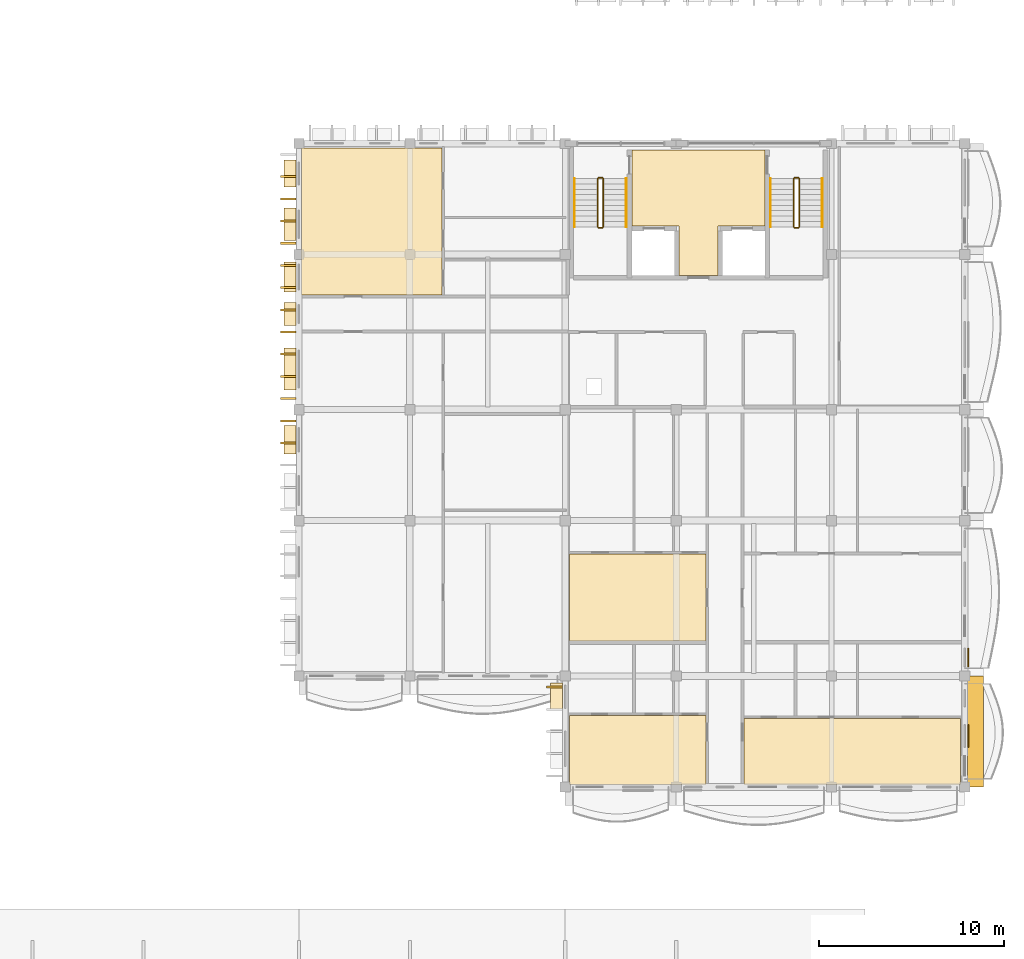
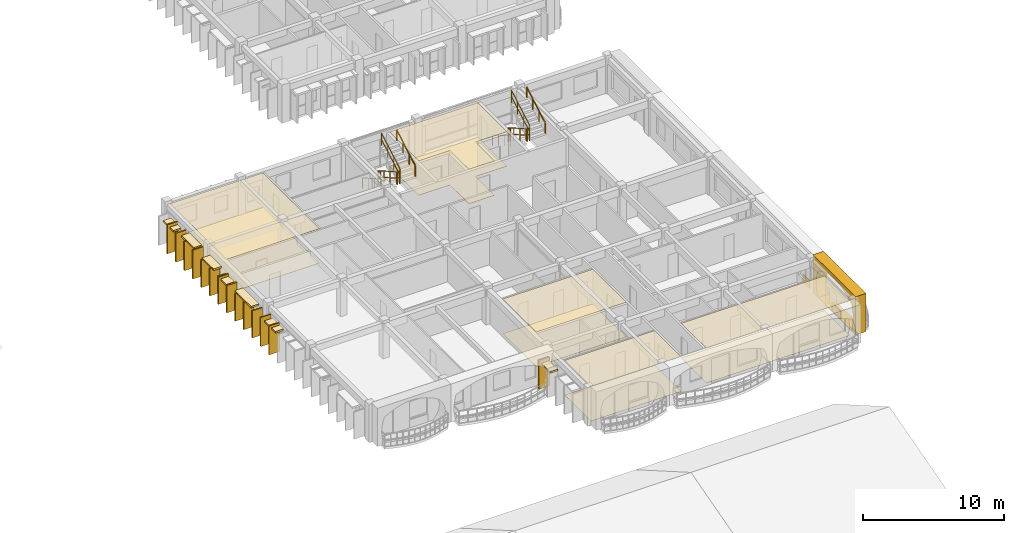
# One storey, part 92 of 101: 34 coverings, 12 railings.
"""IFC4 building model written with IfcOpenShell, lengths in metres."""

from ifc_helpers import new_model, si_unit, direction, frame, origin, origin_2d, place, context, subcontext, project, spatial, polyline, rectangle, outline, extrude, material, layer, layer_set, type_object, element, save


model = new_model("IFC4")

# Units and contexts
model_context = context("Model", 3, precision=1e-05, world=origin(), true_north=direction((0.0, 1.0)))
body_context = subcontext(model_context, "Body", "Model", "MODEL_VIEW")
ifc_project = project(units=[si_unit("LENGTHUNIT", "METRE"), si_unit("AREAUNIT", "SQUARE_METRE"), si_unit("VOLUMEUNIT", "CUBIC_METRE"), si_unit("PLANEANGLEUNIT", "RADIAN"), si_unit("MASSUNIT", "GRAM", prefix="KILO"), si_unit("THERMODYNAMICTEMPERATUREUNIT", "KELVIN")], contexts=[model_context])

# Site, building, storey
site_placement = place(None, origin())
site = spatial("IfcSite", under=ifc_project, at=site_placement, CompositionType="ELEMENT")
building_placement = place(site_placement, origin())
building = spatial("IfcBuilding", under=site, at=building_placement, Name="Thalorik Housing Commons", CompositionType="ELEMENT")
storey_placement = place(building_placement, frame((0.0, 0.0, 8.10009765625)))
storey = spatial("IfcBuildingStorey", under=building, at=storey_placement, Name="L02", CompositionType="ELEMENT", Elevation=8.10009765625)

# Coverings
ifc_material_1 = material(Name="Precast concrete C40/50", Category="concrete")
ifc_layer_1 = layer(ifc_material_1, 0.85009765625, Name="Precast concrete C40/50", Category="concrete")
ifc_layer_set_1 = layer_set([ifc_layer_1], Name="Precast concrete C40/50")
covering_type_1 = type_object("IfcCoveringType", Name="ARC-CLD-CUSH-850", PredefinedType="CLADDING", material=ifc_layer_set_1)
covering_1_placement = place(storey_placement, frame((174.577392578125, 40.199951171875, 0.0), z_axis=(0.0, 0.0, 1.0), x_axis=(0.0, 1.0, 0.0)))
element("IfcCovering", 1, at=covering_1_placement, inside=storey, type_object=covering_type_1, Name="L02 White Precast Curved Cushion Bay Frame 4672", PredefinedType="CLADDING", context=body_context, shape_type="SweptSolid", body=[
    extrude(outline(polyline([(-3.0, 0.0), (3.0, 0.0), (3.0, 3.300048828125), (-3.0, 3.300048828125), (-3.0, 0.0)]), holes=[polyline([(2.29736328125, 0.02490234375), (2.44580078125, 0.407470703125), (2.53466796875, 0.7900390625), (2.564453125, 1.172607421875), (2.53466796875, 1.554931640625), (2.44580078125, 1.9375), (2.29736328125, 2.320068359375), (1.903564453125, 2.539306640625), (1.509521484375, 2.711181640625), (1.115478515625, 2.8505859375), (0.7216796875, 2.954345703125), (0.32763671875, 3.018310546875), (-0.06640625, 3.0400390625), (-0.460205078125, 3.018310546875), (-0.854248046875, 2.954345703125), (-1.248046875, 2.8505859375), (-1.64208984375, 2.711181640625), (-2.035888671875, 2.539306640625), (-2.429931640625, 2.320068359375), (-2.55029296875, 1.9375), (-2.62255859375, 1.554931640625), (-2.646484375, 1.172607421875), (-2.62255859375, 0.7900390625), (-2.55029296875, 0.407470703125), (-2.429931640625, 0.02490234375), (2.29736328125, 0.02490234375)])]), frame((0.0, 0.425048828125, 0.0), z_axis=(0.0, -1.0, 0.0), x_axis=(1.0, 0.0, 0.0)), (0.0, 0.0, 1.0), 0.85009765625),
])
ifc_layer_2 = layer(ifc_material_1, 0.85009765625, Name="Precast concrete C40/50", Category="concrete")
ifc_layer_set_2 = layer_set([ifc_layer_2], Name="Precast concrete C40/50")
covering_type_2 = type_object("IfcCoveringType", Name="ARC-CLD-FIN-850", PredefinedType="CLADDING", material=ifc_layer_set_2)
for number, where, z_axis, x_axis, name in (
    (2, (137.422607421875, 70.199951171875, 0.039794921875), (0.0, 0.0, 1.0), (0.0, -1.0, 0.0), "L02 Courtyard Precast Vertical Brise-Soleil Fin 4623"),
    (3, (137.422607421875, 69.0, 0.039794921875), (0.0, 0.0, 1.0), (0.0, -1.0, 0.0), "L02 Courtyard Precast Vertical Brise-Soleil Fin 4624"),
    (4, (137.422607421875, 67.800048828125, 0.039794921875), (0.0, 0.0, 1.0), (0.0, -1.0, 0.0), "L02 Courtyard Precast Vertical Brise-Soleil Fin 4625"),
    (5, (137.422607421875, 66.60009765625, 0.039794921875), (0.0, 0.0, 1.0), (0.0, -1.0, 0.0), "L02 Courtyard Precast Vertical Brise-Soleil Fin 4626"),
):
    element("IfcCovering", number, at=place(storey_placement, frame(where, z_axis=z_axis, x_axis=x_axis)), inside=storey, type_object=covering_type_2, Name=name, PredefinedType="CLADDING", context=body_context, shape_type="SweptSolid", body=[
        extrude(rectangle(XDim=0.110107421875, YDim=0.85009765625, at=origin_2d()), origin(), (0.0, 0.0, 1.0), 2.4951171875),
    ])
for number, where, z_axis, x_axis, name in (
    (6, (137.422607421875, 65.39990234375, 0.0400390625), (0.0, 0.0, 1.0), (0.0, -1.0, 0.0), "L02 Courtyard Precast Vertical Brise-Soleil Fin 4629"),
    (7, (137.422607421875, 64.199951171875, 0.0400390625), (0.0, 0.0, 1.0), (0.0, -1.0, 0.0), "L02 Courtyard Precast Vertical Brise-Soleil Fin 4630"),
    (8, (137.422607421875, 63.0, 0.0400390625), (0.0, 0.0, 1.0), (0.0, -1.0, 0.0), "L02 Courtyard Precast Vertical Brise-Soleil Fin 4631"),
    (9, (137.422607421875, 61.800048828125, 0.0400390625), (0.0, 0.0, 1.0), (0.0, -1.0, 0.0), "L02 Courtyard Precast Vertical Brise-Soleil Fin 4632"),
    (10, (137.422607421875, 60.60009765625, 0.0400390625), (0.0, 0.0, 1.0), (0.0, -1.0, 0.0), "L02 Courtyard Precast Vertical Brise-Soleil Fin 4633"),
    (11, (137.422607421875, 59.39990234375, 0.0400390625), (0.0, 0.0, 1.0), (0.0, -1.0, 0.0), "L02 Courtyard Precast Vertical Brise-Soleil Fin 4634"),
    (12, (137.422607421875, 58.199951171875, 0.0400390625), (0.0, 0.0, 1.0), (0.0, -1.0, 0.0), "L02 Courtyard Precast Vertical Brise-Soleil Fin 4635"),
):
    element("IfcCovering", number, at=place(storey_placement, frame(where, z_axis=z_axis, x_axis=x_axis)), inside=storey, type_object=covering_type_2, Name=name, PredefinedType="CLADDING", context=body_context, shape_type="SweptSolid", body=[
        extrude(rectangle(XDim=0.110107421875, YDim=0.85009765625, at=origin_2d()), origin(), (0.0, 0.0, 1.0), 2.344970703125),
    ])
for number, where, z_axis, x_axis, name in (
    (13, (137.422607421875, 57.0, 0.039794921875), (0.0, 0.0, 1.0), (0.0, -1.0, 0.0), "L02 Courtyard Precast Vertical Brise-Soleil Fin 4639"),
    (14, (137.422607421875, 55.800048828125, 0.039794921875), (0.0, 0.0, 1.0), (0.0, -1.0, 0.0), "L02 Courtyard Precast Vertical Brise-Soleil Fin 4640"),
    (15, (151.822509765625, 42.60009765625, 0.039794921875), (0.0, 0.0, 1.0), (0.0, -1.0, 0.0), "L02 Courtyard Precast Vertical Brise-Soleil Fin 4659"),
):
    element("IfcCovering", number, at=place(storey_placement, frame(where, z_axis=z_axis, x_axis=x_axis)), inside=storey, type_object=covering_type_2, Name=name, PredefinedType="CLADDING", context=body_context, shape_type="SweptSolid", body=[
        extrude(rectangle(XDim=0.110107421875, YDim=0.85009765625, at=origin_2d()), origin(), (0.0, 0.0, 1.0), 2.4951171875),
    ])
ifc_layer_3 = layer(ifc_material_1, 0.64990234375, Name="Precast concrete C40/50", Category="concrete")
ifc_layer_set_3 = layer_set([ifc_layer_3], Name="Precast concrete C40/50")
covering_type_3 = type_object("IfcCoveringType", Name="ARC-CLD-HOOD-650", PredefinedType="CLADDING", material=ifc_layer_set_3)
covering_2_placement = place(storey_placement, frame((137.5224609375, 70.3701171875, 2.14013671875), z_axis=(0.0, 0.0, 1.0), x_axis=(0.0, -1.0, 0.0)))
element("IfcCovering", 16, at=covering_2_placement, inside=storey, type_object=covering_type_3, Name="L02 Courtyard Precast Window Sun-Hood 4627", PredefinedType="CLADDING", context=body_context, shape_type="SweptSolid", body=[
    extrude(rectangle(XDim=1.43994140625, YDim=0.64990234375, at=origin_2d()), origin(), (0.0, 0.0, 1.0), 0.139892578125),
])
covering_3_placement = place(storey_placement, frame((137.5224609375, 67.6298828125, 2.4248046875), z_axis=(0.0, 0.0, 1.0), x_axis=(0.0, -1.0, 0.0)))
element("IfcCovering", 17, at=covering_3_placement, inside=storey, type_object=covering_type_3, Name="L02 Courtyard Precast Window Sun-Hood 4628", PredefinedType="CLADDING", context=body_context, shape_type="SweptSolid", body=[
    extrude(rectangle(XDim=1.739990234375, YDim=0.64990234375, at=origin_2d()), origin(), (0.0, 0.0, 1.0), 0.139892578125),
])
covering_4_placement = place(storey_placement, frame((137.5224609375, 64.764892578125, 2.27001953125), z_axis=(0.0, 0.0, 1.0), x_axis=(0.0, -1.0, 0.0)))
element("IfcCovering", 18, at=covering_4_placement, inside=storey, type_object=covering_type_3, Name="L02 Courtyard Precast Window Sun-Hood 4636", PredefinedType="CLADDING", context=body_context, shape_type="SweptSolid", body=[
    extrude(rectangle(XDim=1.6201171875, YDim=0.64990234375, at=origin_2d()), origin(), (0.0, 0.0, 1.0), 0.139892578125),
])
covering_5_placement = place(storey_placement, frame((137.5224609375, 62.77001953125, 2.0400390625), z_axis=(0.0, 0.0, 1.0), x_axis=(0.0, -1.0, 0.0)))
element("IfcCovering", 19, at=covering_5_placement, inside=storey, type_object=covering_type_3, Name="L02 Courtyard Precast Window Sun-Hood 4637", PredefinedType="CLADDING", context=body_context, shape_type="SweptSolid", body=[
    extrude(rectangle(XDim=1.239990234375, YDim=0.64990234375, at=origin_2d()), origin(), (0.0, 0.0, 1.0), 0.139892578125),
])
covering_6_placement = place(storey_placement, frame((137.5224609375, 59.804931640625, 2.25), z_axis=(0.0, 0.0, 1.0), x_axis=(0.0, -1.0, 0.0)))
element("IfcCovering", 20, at=covering_6_placement, inside=storey, type_object=covering_type_3, Name="L02 Courtyard Precast Window Sun-Hood 4638", PredefinedType="CLADDING", context=body_context, shape_type="SweptSolid", body=[
    extrude(rectangle(XDim=2.280029296875, YDim=0.64990234375, at=origin_2d()), origin(), (0.0, 0.0, 1.0), 0.139892578125),
])
covering_7_placement = place(storey_placement, frame((137.5224609375, 55.969970703125, 2.18994140625), z_axis=(0.0, 0.0, 1.0), x_axis=(0.0, -1.0, 0.0)))
element("IfcCovering", 21, at=covering_7_placement, inside=storey, type_object=covering_type_3, Name="L02 Courtyard Precast Window Sun-Hood 4644", PredefinedType="CLADDING", context=body_context, shape_type="SweptSolid", body=[
    extrude(rectangle(XDim=1.5400390625, YDim=0.64990234375, at=origin_2d()), origin(), (0.0, 0.0, 1.0), 0.139892578125),
])
covering_8_placement = place(storey_placement, frame((151.922607421875, 42.074951171875, 2.08984375), z_axis=(0.0, 0.0, 1.0), x_axis=(0.0, -1.0, 0.0)))
element("IfcCovering", 22, at=covering_8_placement, inside=storey, type_object=covering_type_3, Name="L02 Courtyard Precast Window Sun-Hood 4664", PredefinedType="CLADDING", context=body_context, shape_type="SweptSolid", body=[
    extrude(rectangle(XDim=1.489990234375, YDim=0.64990234375, at=origin_2d()), origin(), (0.0, 0.0, 1.0), 0.139892578125),
])
ifc_material_2 = material(Name="Terracotta red mineral fibre-cement panel", Category="masonry")
ifc_layer_4 = layer(ifc_material_2, 0.054931640625, Name="Terracotta red mineral fibre-cement panel", Category="masonry")
ifc_layer_set_4 = layer_set([ifc_layer_4], Name="Terracotta red mineral fibre-cement panel")
covering_type_4 = type_object("IfcCoveringType", Name="ARC-CLD-RED-55", PredefinedType="CLADDING", material=ifc_layer_set_4)
covering_9_placement = place(storey_placement, frame((174.18505859375, 44.205078125, 0.0498046875), z_axis=(0.0, 0.0, 1.0), x_axis=(0.0, 1.0, 0.0)))
element("IfcCovering", 23, at=covering_9_placement, inside=storey, type_object=covering_type_4, Name="L02 De Stijl Recessed Window Spandrel 4675", PredefinedType="CLADDING", context=body_context, shape_type="SweptSolid", body=[
    extrude(rectangle(XDim=1.0, YDim=0.054931640625, at=origin_2d()), origin(), (0.0, 0.0, 1.0), 0.699951171875),
])
ifc_material_3 = material(Name="Mineral ochre architectural terracotta panel", Category="masonry")
ifc_layer_5 = layer(ifc_material_3, 0.06494140625, Name="Mineral ochre architectural terracotta panel", Category="masonry")
ifc_layer_set_5 = layer_set([ifc_layer_5], Name="Mineral ochre architectural terracotta panel")
covering_type_5 = type_object("IfcCoveringType", Name="ARC-CLD-YEL-65", PredefinedType="CLADDING", material=ifc_layer_set_5)
covering_10_placement = place(storey_placement, frame((174.18994140625, 39.952392578125, 0.0498046875), z_axis=(0.0, 0.0, 1.0), x_axis=(0.0, 1.0, 0.0)))
element("IfcCovering", 24, at=covering_10_placement, inside=storey, type_object=covering_type_5, Name="L02 De Stijl Recessed Window Spandrel 4673", PredefinedType="CLADDING", context=body_context, shape_type="SweptSolid", body=[
    extrude(rectangle(XDim=1.199951171875, YDim=0.06494140625, at=origin_2d()), origin(), (0.0, 0.0, 1.0), 0.699951171875),
])
ifc_material_4 = material(Name="Perforated acoustic gypsum ceiling board")
ifc_layer_6 = layer(ifc_material_4, 0.014892578125, Name="Perforated acoustic gypsum ceiling board")
ifc_layer_set_6 = layer_set([ifc_layer_6], Name="Perforated acoustic gypsum ceiling board")
covering_type_6 = type_object("IfcCoveringType", Name="ARC-COV-CEIL-01", PredefinedType="CEILING", material=ifc_layer_set_6)
covering_11_placement = place(storey_placement, frame((0.0, 0.0, 2.98486328125)))
element("IfcCovering", 25, at=covering_11_placement, inside=storey, type_object=covering_type_6, Name="L02 Living Dining Room Suspended Ceiling", PredefinedType="CEILING", context=body_context, shape_type="SweptSolid", body=[
    extrude(outline(polyline([(160.0, 41.070068359375), (152.639892578125, 41.070068359375), (152.639892578125, 37.340087890625), (160.0, 37.340087890625), (160.0, 41.070068359375)])), origin(), (0.0, 0.0, 1.0), 0.01513671875),
])
ifc_material_5 = material(Name="Mineral fibre acoustic ceiling tile")
ifc_layer_7 = layer(ifc_material_5, 0.01806640625, Name="Mineral fibre acoustic ceiling tile")
ifc_layer_set_7 = layer_set([ifc_layer_7], Name="Mineral fibre acoustic ceiling tile")
covering_type_7 = type_object("IfcCoveringType", Name="ARC-COV-CEIL-02", PredefinedType="CEILING", material=ifc_layer_set_7)
covering_12_placement = place(storey_placement, frame((0.0, 0.0, 2.98193359375)))
element("IfcCovering", 26, at=covering_12_placement, inside=storey, type_object=covering_type_7, Name="L02 Living Dining Room Suspended Ceiling", PredefinedType="CEILING", context=body_context, shape_type="SweptSolid", body=[
    extrude(outline(polyline([(173.760009765625, 40.914794921875), (162.06005859375, 40.914794921875), (162.06005859375, 37.340087890625), (173.760009765625, 37.340087890625), (173.760009765625, 40.914794921875)])), origin(), (0.0, 0.0, 1.0), 0.01806640625),
])
ifc_material_6 = material(Name="Slatted timber acoustic hall baffle ceiling", Category="wood")
ifc_layer_8 = layer(ifc_material_6, 0.02197265625, Name="Slatted timber acoustic hall baffle ceiling", Category="wood")
ifc_layer_set_8 = layer_set([ifc_layer_8], Name="Slatted timber acoustic hall baffle ceiling")
covering_type_8 = type_object("IfcCoveringType", Name="ARC-COV-CEIL-03", PredefinedType="CEILING", material=ifc_layer_set_8)
covering_13_placement = place(storey_placement, frame((0.0, 0.0, 2.977783203125)))
element("IfcCovering", 27, at=covering_13_placement, inside=storey, type_object=covering_type_8, Name="L02 Family Lounge Suspended Ceiling", PredefinedType="CEILING", context=body_context, shape_type="SweptSolid", body=[
    extrude(outline(polyline([(160.0, 49.81005859375), (152.639892578125, 49.81005859375), (152.639892578125, 45.10009765625), (160.0, 45.10009765625), (160.0, 49.81005859375)])), origin(), (0.0, 0.0, 1.0), 0.022216796875),
])
ifc_material_7 = material(Name="Fire-rated calcium silicate corridor ceiling")
ifc_layer_9 = layer(ifc_material_7, 0.030029296875, Name="Fire-rated calcium silicate corridor ceiling")
ifc_layer_set_9 = layer_set([ifc_layer_9], Name="Fire-rated calcium silicate corridor ceiling")
covering_type_9 = type_object("IfcCoveringType", Name="ARC-COV-CEIL-05", PredefinedType="CEILING", material=ifc_layer_set_9)
covering_14_placement = place(storey_placement, frame((0.0, 0.0, 2.969970703125)))
element("IfcCovering", 28, at=covering_14_placement, inside=storey, type_object=covering_type_9, Name="L02 Block D Lift Lobby Suspended Ceiling", PredefinedType="CEILING", context=body_context, shape_type="SweptSolid", body=[
    extrude(outline(polyline([(158.550048828125, 64.85009765625), (160.64990234375, 64.85009765625), (160.650146484375, 67.52001953125), (163.199951171875, 67.52001953125), (163.199951171875, 71.64990234375), (156.0, 71.64990234375), (156.0, 67.52001953125), (158.550048828125, 67.52001953125), (158.550048828125, 64.85009765625)])), origin(), (0.0, 0.0, 1.0), 0.030029296875),
])
covering_15_placement = place(storey_placement, frame((0.0, 0.0, 2.969970703125)))
element("IfcCovering", 29, at=covering_15_placement, inside=storey, type_object=covering_type_9, Name="L02 Living Dining Room Suspended Ceiling", PredefinedType="CEILING", context=body_context, shape_type="SweptSolid", body=[
    extrude(outline(polyline([(145.740478515625, 63.800048828125), (145.740478515625, 71.760009765625), (138.139892578125, 71.760009765625), (138.139892578125, 63.800048828125), (145.740478515625, 63.800048828125)])), origin(), (0.0, 0.0, 1.0), 0.030029296875),
])
ifc_material_8 = material(Name="Glazed Recife ceramic apartment floor tile")
ifc_layer_10 = layer(ifc_material_8, 0.011962890625, Name="Glazed Recife ceramic apartment floor tile")
ifc_layer_set_10 = layer_set([ifc_layer_10], Name="Glazed Recife ceramic apartment floor tile")
covering_type_10 = type_object("IfcCoveringType", Name="ARC-COV-FLR-01", PredefinedType="FLOORING", material=ifc_layer_set_10)
covering_16_placement = place(storey_placement, origin())
element("IfcCovering", 30, at=covering_16_placement, inside=storey, type_object=covering_type_10, Name="L02 Living Dining Room Flooring", PredefinedType="FLOORING", context=body_context, shape_type="SweptSolid", body=[
    extrude(outline(polyline([(160.0, 41.070068359375), (152.639892578125, 41.070068359375), (152.639892578125, 37.340087890625), (160.0, 37.340087890625), (160.0, 41.070068359375)])), origin(), (0.0, 0.0, 1.0), 0.011962890625),
])
ifc_material_9 = material(Name="Slip-resistant quarry terracotta corridor tile", Category="masonry")
ifc_layer_11 = layer(ifc_material_9, 0.01611328125, Name="Slip-resistant quarry terracotta corridor tile", Category="masonry")
ifc_layer_set_11 = layer_set([ifc_layer_11], Name="Slip-resistant quarry terracotta corridor tile")
covering_type_11 = type_object("IfcCoveringType", Name="ARC-COV-FLR-02", PredefinedType="FLOORING", material=ifc_layer_set_11)
covering_17_placement = place(storey_placement, origin())
element("IfcCovering", 31, at=covering_17_placement, inside=storey, type_object=covering_type_11, Name="L02 Living Dining Room Flooring", PredefinedType="FLOORING", context=body_context, shape_type="SweptSolid", body=[
    extrude(outline(polyline([(173.760009765625, 40.914794921875), (162.06005859375, 40.914794921875), (162.06005859375, 37.340087890625), (173.760009765625, 37.340087890625), (173.760009765625, 40.914794921875)])), origin(), (0.0, 0.0, 1.0), 0.015869140625),
])
ifc_material_10 = material(Name="Cushioned natural linoleum nursery playroom flooring")
ifc_layer_12 = layer(ifc_material_10, 0.02001953125, Name="Cushioned natural linoleum nursery playroom flooring")
ifc_layer_set_12 = layer_set([ifc_layer_12], Name="Cushioned natural linoleum nursery playroom flooring")
covering_type_12 = type_object("IfcCoveringType", Name="ARC-COV-FLR-03", PredefinedType="FLOORING", material=ifc_layer_set_12)
covering_18_placement = place(storey_placement, origin())
element("IfcCovering", 32, at=covering_18_placement, inside=storey, type_object=covering_type_12, Name="L02 Family Lounge Flooring", PredefinedType="FLOORING", context=body_context, shape_type="SweptSolid", body=[
    extrude(outline(polyline([(160.0, 49.81005859375), (152.639892578125, 49.81005859375), (152.639892578125, 45.10009765625), (160.0, 45.10009765625), (160.0, 49.81005859375)])), origin(), (0.0, 0.0, 1.0), 0.02001953125),
])
ifc_material_11 = material(Name="Heavy-duty porcelain metro vestibule tile")
ifc_layer_13 = layer(ifc_material_11, 0.028076171875, Name="Heavy-duty porcelain metro vestibule tile")
ifc_layer_set_13 = layer_set([ifc_layer_13], Name="Heavy-duty porcelain metro vestibule tile")
covering_type_13 = type_object("IfcCoveringType", Name="ARC-COV-FLR-05", PredefinedType="FLOORING", material=ifc_layer_set_13)
covering_19_placement = place(storey_placement, origin())
element("IfcCovering", 33, at=covering_19_placement, inside=storey, type_object=covering_type_13, Name="L02 Block D Lift Lobby Flooring", PredefinedType="FLOORING", context=body_context, shape_type="SweptSolid", body=[
    extrude(outline(polyline([(158.550048828125, 64.85009765625), (160.64990234375, 64.85009765625), (160.650146484375, 67.52001953125), (163.199951171875, 67.52001953125), (163.199951171875, 71.64990234375), (156.0, 71.64990234375), (156.0, 67.52001953125), (158.550048828125, 67.52001953125), (158.550048828125, 64.85009765625)])), origin(), (0.0, 0.0, 1.0), 0.02783203125),
])
covering_20_placement = place(storey_placement, origin())
element("IfcCovering", 34, at=covering_20_placement, inside=storey, type_object=covering_type_13, Name="L02 Living Dining Room Flooring", PredefinedType="FLOORING", context=body_context, shape_type="SweptSolid", body=[
    extrude(outline(polyline([(145.740478515625, 63.800048828125), (145.740478515625, 71.760009765625), (138.139892578125, 71.760009765625), (138.139892578125, 63.800048828125), (145.740478515625, 63.800048828125)])), origin(), (0.0, 0.0, 1.0), 0.02783203125),
])

# Railings
ifc_material_12 = material(Name="Steel S355", Category="steel")
railing_type_1 = type_object("IfcRailingType", Name="ARC-RL-STR-GRD110", PredefinedType="GUARDRAIL", material=ifc_material_12)
railing_1_placement = place(storey_placement, frame((154.14990234375, 70.10009765625, 0.164794921875)))
element("IfcRailing", 35, at=railing_1_placement, inside=storey, type_object=railing_type_1, Name="L02 ST-D1 stair guard 1", PredefinedType="GUARDRAIL", context=body_context, shape_type="SweptSolid", body=[
    extrude(rectangle(XDim=0.048095703125, YDim=0.048095703125, at=origin_2d()), frame((0.0, 0.0, 1.076171875), z_axis=(0.0, -0.869157204687, 0.49453589712), x_axis=(1.0, 0.0, 0.0)), (0.0, 0.0, 1.0), 3.0029296875),
    extrude(rectangle(XDim=0.048095703125, YDim=0.048095703125, at=origin_2d()), frame((0.0, 0.0, 0.52587890625), z_axis=(0.0, -0.869157204687, 0.49453589712), x_axis=(1.0, 0.0, 0.0)), (0.0, 0.0, 1.0), 3.0029296875),
    extrude(rectangle(XDim=0.0419921875, YDim=0.0419921875, at=origin_2d()), origin(), (0.0, 0.0, 1.0), 1.052001953125),
    extrude(rectangle(XDim=0.0419921875, YDim=0.0419921875, at=origin_2d()), frame((0.0, -0.8701171875, 0.4951171875)), (0.0, 0.0, 1.0), 1.052001953125),
    extrude(rectangle(XDim=0.0419921875, YDim=0.0419921875, at=origin_2d()), frame((0.0, -1.739990234375, 0.989990234375)), (0.0, 0.0, 1.0), 1.052001953125),
    extrude(rectangle(XDim=0.0419921875, YDim=0.0419921875, at=origin_2d()), frame((0.0, -2.610107421875, 1.485107421875)), (0.0, 0.0, 1.0), 1.052001953125),
])
railing_2_placement = place(storey_placement, frame((154.199951171875, 67.43994140625, 1.64990234375)))
element("IfcRailing", 36, at=railing_2_placement, inside=storey, type_object=railing_type_1, Name="L02 ST-D1 stair guard 2", PredefinedType="GUARDRAIL", context=body_context, shape_type="SweptSolid", body=[
    extrude(rectangle(XDim=0.048095703125, YDim=0.048095703125, at=origin_2d()), frame((0.0, 0.0, 1.076171875), z_axis=(1.0, 0.0, 0.0), x_axis=(0.0, 1.0, 0.0)), (0.0, 0.0, 1.0), 0.199951171875),
    extrude(rectangle(XDim=0.048095703125, YDim=0.048095703125, at=origin_2d()), frame((0.0, 0.0, 0.52587890625), z_axis=(1.0, 0.0, 0.0), x_axis=(0.0, 1.0, 0.0)), (0.0, 0.0, 1.0), 0.199951171875),
    extrude(rectangle(XDim=0.0419921875, YDim=0.0419921875, at=origin_2d()), origin(), (0.0, 0.0, 1.0), 1.052001953125),
    extrude(rectangle(XDim=0.0419921875, YDim=0.0419921875, at=origin_2d()), frame((0.199951171875, 0.0, 0.0)), (0.0, 0.0, 1.0), 1.052001953125),
])
railing_3_placement = place(storey_placement, frame((154.449951171875, 67.489990234375, 1.81494140625)))
element("IfcRailing", 37, at=railing_3_placement, inside=storey, type_object=railing_type_1, Name="L02 ST-D1 stair guard 3", PredefinedType="GUARDRAIL", context=body_context, shape_type="SweptSolid", body=[
    extrude(rectangle(XDim=0.048095703125, YDim=0.048095703125, at=origin_2d()), frame((0.0, 0.0, 1.076171875), z_axis=(0.0, 0.869192148207, 0.494474478103), x_axis=(-1.0, 0.0, 0.0)), (0.0, 0.0, 1.0), 3.0029296875),
    extrude(rectangle(XDim=0.048095703125, YDim=0.048095703125, at=origin_2d()), frame((0.0, 0.0, 0.52587890625), z_axis=(0.0, 0.869192148207, 0.494474478103), x_axis=(-1.0, 0.0, 0.0)), (0.0, 0.0, 1.0), 3.0029296875),
    extrude(rectangle(XDim=0.0419921875, YDim=0.0419921875, at=origin_2d()), origin(), (0.0, 0.0, 1.0), 1.052001953125),
    extrude(rectangle(XDim=0.0419921875, YDim=0.0419921875, at=origin_2d()), frame((0.0, 0.8701171875, 0.494873046875)), (0.0, 0.0, 1.0), 1.052001953125),
    extrude(rectangle(XDim=0.0419921875, YDim=0.0419921875, at=origin_2d()), frame((0.0, 1.739990234375, 0.989990234375)), (0.0, 0.0, 1.0), 1.052001953125),
    extrude(rectangle(XDim=0.0419921875, YDim=0.0419921875, at=origin_2d()), frame((0.0, 2.610107421875, 1.48486328125)), (0.0, 0.0, 1.0), 1.052001953125),
])
railing_4_placement = place(storey_placement, frame((154.199951171875, 70.14990234375, 0.0)))
element("IfcRailing", 38, at=railing_4_placement, inside=storey, type_object=railing_type_1, Name="L02 ST-D1 stair guard 4", PredefinedType="GUARDRAIL", context=body_context, shape_type="SweptSolid", body=[
    extrude(rectangle(XDim=0.048095703125, YDim=0.048095703125, at=origin_2d()), frame((0.0, 0.0, 1.076171875), z_axis=(1.0, 0.0, 0.0), x_axis=(0.0, 1.0, 0.0)), (0.0, 0.0, 1.0), 0.199951171875),
    extrude(rectangle(XDim=0.048095703125, YDim=0.048095703125, at=origin_2d()), frame((0.0, 0.0, 0.52587890625), z_axis=(1.0, 0.0, 0.0), x_axis=(0.0, 1.0, 0.0)), (0.0, 0.0, 1.0), 0.199951171875),
    extrude(rectangle(XDim=0.0419921875, YDim=0.0419921875, at=origin_2d()), origin(), (0.0, 0.0, 1.0), 1.052001953125),
    extrude(rectangle(XDim=0.0419921875, YDim=0.0419921875, at=origin_2d()), frame((0.199951171875, 0.0, 0.0)), (0.0, 0.0, 1.0), 1.052001953125),
])
railing_5_placement = place(storey_placement, frame((164.75, 70.10009765625, 0.164794921875)))
element("IfcRailing", 39, at=railing_5_placement, inside=storey, type_object=railing_type_1, Name="L02 ST-D2 stair guard 1", PredefinedType="GUARDRAIL", context=body_context, shape_type="SweptSolid", body=[
    extrude(rectangle(XDim=0.048095703125, YDim=0.048095703125, at=origin_2d()), frame((0.0, 0.0, 1.076171875), z_axis=(0.0, -0.869157204687, 0.49453589712), x_axis=(1.0, 0.0, 0.0)), (0.0, 0.0, 1.0), 3.0029296875),
    extrude(rectangle(XDim=0.048095703125, YDim=0.048095703125, at=origin_2d()), frame((0.0, 0.0, 0.52587890625), z_axis=(0.0, -0.869157204687, 0.49453589712), x_axis=(1.0, 0.0, 0.0)), (0.0, 0.0, 1.0), 3.0029296875),
    extrude(rectangle(XDim=0.0419921875, YDim=0.0419921875, at=origin_2d()), origin(), (0.0, 0.0, 1.0), 1.052001953125),
    extrude(rectangle(XDim=0.0419921875, YDim=0.0419921875, at=origin_2d()), frame((0.0, -0.8701171875, 0.4951171875)), (0.0, 0.0, 1.0), 1.052001953125),
    extrude(rectangle(XDim=0.0419921875, YDim=0.0419921875, at=origin_2d()), frame((0.0, -1.739990234375, 0.989990234375)), (0.0, 0.0, 1.0), 1.052001953125),
    extrude(rectangle(XDim=0.0419921875, YDim=0.0419921875, at=origin_2d()), frame((0.0, -2.610107421875, 1.485107421875)), (0.0, 0.0, 1.0), 1.052001953125),
])
railing_6_placement = place(storey_placement, frame((164.800048828125, 67.43994140625, 1.64990234375)))
element("IfcRailing", 40, at=railing_6_placement, inside=storey, type_object=railing_type_1, Name="L02 ST-D2 stair guard 2", PredefinedType="GUARDRAIL", context=body_context, shape_type="SweptSolid", body=[
    extrude(rectangle(XDim=0.048095703125, YDim=0.048095703125, at=origin_2d()), frame((0.0, 0.0, 1.076171875), z_axis=(1.0, 0.0, 0.0), x_axis=(0.0, 1.0, 0.0)), (0.0, 0.0, 1.0), 0.199951171875),
    extrude(rectangle(XDim=0.048095703125, YDim=0.048095703125, at=origin_2d()), frame((0.0, 0.0, 0.52587890625), z_axis=(1.0, 0.0, 0.0), x_axis=(0.0, 1.0, 0.0)), (0.0, 0.0, 1.0), 0.199951171875),
    extrude(rectangle(XDim=0.0419921875, YDim=0.0419921875, at=origin_2d()), origin(), (0.0, 0.0, 1.0), 1.052001953125),
    extrude(rectangle(XDim=0.0419921875, YDim=0.0419921875, at=origin_2d()), frame((0.199951171875, 0.0, 0.0)), (0.0, 0.0, 1.0), 1.052001953125),
])
railing_7_placement = place(storey_placement, frame((165.050048828125, 67.489990234375, 1.81494140625)))
element("IfcRailing", 41, at=railing_7_placement, inside=storey, type_object=railing_type_1, Name="L02 ST-D2 stair guard 3", PredefinedType="GUARDRAIL", context=body_context, shape_type="SweptSolid", body=[
    extrude(rectangle(XDim=0.048095703125, YDim=0.048095703125, at=origin_2d()), frame((0.0, 0.0, 1.076171875), z_axis=(0.0, 0.869192148207, 0.494474478103), x_axis=(-1.0, 0.0, 0.0)), (0.0, 0.0, 1.0), 3.0029296875),
    extrude(rectangle(XDim=0.048095703125, YDim=0.048095703125, at=origin_2d()), frame((0.0, 0.0, 0.52587890625), z_axis=(0.0, 0.869192148207, 0.494474478103), x_axis=(-1.0, 0.0, 0.0)), (0.0, 0.0, 1.0), 3.0029296875),
    extrude(rectangle(XDim=0.0419921875, YDim=0.0419921875, at=origin_2d()), origin(), (0.0, 0.0, 1.0), 1.052001953125),
    extrude(rectangle(XDim=0.0419921875, YDim=0.0419921875, at=origin_2d()), frame((0.0, 0.8701171875, 0.494873046875)), (0.0, 0.0, 1.0), 1.052001953125),
    extrude(rectangle(XDim=0.0419921875, YDim=0.0419921875, at=origin_2d()), frame((0.0, 1.739990234375, 0.989990234375)), (0.0, 0.0, 1.0), 1.052001953125),
    extrude(rectangle(XDim=0.0419921875, YDim=0.0419921875, at=origin_2d()), frame((0.0, 2.610107421875, 1.48486328125)), (0.0, 0.0, 1.0), 1.052001953125),
])
railing_8_placement = place(storey_placement, frame((164.800048828125, 70.14990234375, 0.0)))
element("IfcRailing", 42, at=railing_8_placement, inside=storey, type_object=railing_type_1, Name="L02 ST-D2 stair guard 4", PredefinedType="GUARDRAIL", context=body_context, shape_type="SweptSolid", body=[
    extrude(rectangle(XDim=0.048095703125, YDim=0.048095703125, at=origin_2d()), frame((0.0, 0.0, 1.076171875), z_axis=(1.0, 0.0, 0.0), x_axis=(0.0, 1.0, 0.0)), (0.0, 0.0, 1.0), 0.199951171875),
    extrude(rectangle(XDim=0.048095703125, YDim=0.048095703125, at=origin_2d()), frame((0.0, 0.0, 0.52587890625), z_axis=(1.0, 0.0, 0.0), x_axis=(0.0, 1.0, 0.0)), (0.0, 0.0, 1.0), 0.199951171875),
    extrude(rectangle(XDim=0.0419921875, YDim=0.0419921875, at=origin_2d()), origin(), (0.0, 0.0, 1.0), 1.052001953125),
    extrude(rectangle(XDim=0.0419921875, YDim=0.0419921875, at=origin_2d()), frame((0.199951171875, 0.0, 0.0)), (0.0, 0.0, 1.0), 1.052001953125),
])
railing_type_2 = type_object("IfcRailingType", Name="ARC-RL-STR-HR092", PredefinedType="HANDRAIL", material=ifc_material_12)
railing_9_placement = place(storey_placement, frame((152.89990234375, 70.10009765625, 0.164794921875)))
element("IfcRailing", 43, at=railing_9_placement, inside=storey, type_object=railing_type_2, Name="L02 ST-D1 stair handrail 1", PredefinedType="HANDRAIL", context=body_context, shape_type="SweptSolid", body=[
    extrude(rectangle(XDim=0.048095703125, YDim=0.048095703125, at=origin_2d()), frame((0.0, 0.0, 0.89599609375), z_axis=(0.0, -0.869157204687, 0.49453589712), x_axis=(1.0, 0.0, 0.0)), (0.0, 0.0, 1.0), 3.0029296875),
    extrude(rectangle(XDim=0.0419921875, YDim=0.0419921875, at=origin_2d()), origin(), (0.0, 0.0, 1.0), 0.871826171875),
    extrude(rectangle(XDim=0.0419921875, YDim=0.0419921875, at=origin_2d()), frame((0.0, -0.8701171875, 0.4951171875)), (0.0, 0.0, 1.0), 0.871826171875),
    extrude(rectangle(XDim=0.0419921875, YDim=0.0419921875, at=origin_2d()), frame((0.0, -1.739990234375, 0.989990234375)), (0.0, 0.0, 1.0), 0.871826171875),
    extrude(rectangle(XDim=0.0419921875, YDim=0.0419921875, at=origin_2d()), frame((0.0, -2.610107421875, 1.485107421875)), (0.0, 0.0, 1.0), 0.871826171875),
])
railing_10_placement = place(storey_placement, frame((155.699951171875, 67.489990234375, 1.81494140625)))
element("IfcRailing", 44, at=railing_10_placement, inside=storey, type_object=railing_type_2, Name="L02 ST-D1 stair handrail 2", PredefinedType="HANDRAIL", context=body_context, shape_type="SweptSolid", body=[
    extrude(rectangle(XDim=0.048095703125, YDim=0.048095703125, at=origin_2d()), frame((0.0, 0.0, 0.89599609375), z_axis=(0.0, 0.869192148207, 0.494474478103), x_axis=(-1.0, 0.0, 0.0)), (0.0, 0.0, 1.0), 3.0029296875),
    extrude(rectangle(XDim=0.0419921875, YDim=0.0419921875, at=origin_2d()), origin(), (0.0, 0.0, 1.0), 0.871826171875),
    extrude(rectangle(XDim=0.0419921875, YDim=0.0419921875, at=origin_2d()), frame((0.0, 0.8701171875, 0.494873046875)), (0.0, 0.0, 1.0), 0.871826171875),
    extrude(rectangle(XDim=0.0419921875, YDim=0.0419921875, at=origin_2d()), frame((0.0, 1.739990234375, 0.989990234375)), (0.0, 0.0, 1.0), 0.871826171875),
    extrude(rectangle(XDim=0.0419921875, YDim=0.0419921875, at=origin_2d()), frame((0.0, 2.610107421875, 1.48486328125)), (0.0, 0.0, 1.0), 0.871826171875),
])
railing_11_placement = place(storey_placement, frame((163.5, 70.10009765625, 0.164794921875)))
element("IfcRailing", 45, at=railing_11_placement, inside=storey, type_object=railing_type_2, Name="L02 ST-D2 stair handrail 1", PredefinedType="HANDRAIL", context=body_context, shape_type="SweptSolid", body=[
    extrude(rectangle(XDim=0.048095703125, YDim=0.048095703125, at=origin_2d()), frame((0.0, 0.0, 0.89599609375), z_axis=(0.0, -0.869157204687, 0.49453589712), x_axis=(1.0, 0.0, 0.0)), (0.0, 0.0, 1.0), 3.0029296875),
    extrude(rectangle(XDim=0.0419921875, YDim=0.0419921875, at=origin_2d()), origin(), (0.0, 0.0, 1.0), 0.871826171875),
    extrude(rectangle(XDim=0.0419921875, YDim=0.0419921875, at=origin_2d()), frame((0.0, -0.8701171875, 0.4951171875)), (0.0, 0.0, 1.0), 0.871826171875),
    extrude(rectangle(XDim=0.0419921875, YDim=0.0419921875, at=origin_2d()), frame((0.0, -1.739990234375, 0.989990234375)), (0.0, 0.0, 1.0), 0.871826171875),
    extrude(rectangle(XDim=0.0419921875, YDim=0.0419921875, at=origin_2d()), frame((0.0, -2.610107421875, 1.485107421875)), (0.0, 0.0, 1.0), 0.871826171875),
])
railing_12_placement = place(storey_placement, frame((166.300048828125, 67.489990234375, 1.81494140625)))
element("IfcRailing", 46, at=railing_12_placement, inside=storey, type_object=railing_type_2, Name="L02 ST-D2 stair handrail 2", PredefinedType="HANDRAIL", context=body_context, shape_type="SweptSolid", body=[
    extrude(rectangle(XDim=0.048095703125, YDim=0.048095703125, at=origin_2d()), frame((0.0, 0.0, 0.89599609375), z_axis=(0.0, 0.869192148207, 0.494474478103), x_axis=(-1.0, 0.0, 0.0)), (0.0, 0.0, 1.0), 3.0029296875),
    extrude(rectangle(XDim=0.0419921875, YDim=0.0419921875, at=origin_2d()), origin(), (0.0, 0.0, 1.0), 0.871826171875),
    extrude(rectangle(XDim=0.0419921875, YDim=0.0419921875, at=origin_2d()), frame((0.0, 0.8701171875, 0.494873046875)), (0.0, 0.0, 1.0), 0.871826171875),
    extrude(rectangle(XDim=0.0419921875, YDim=0.0419921875, at=origin_2d()), frame((0.0, 1.739990234375, 0.989990234375)), (0.0, 0.0, 1.0), 0.871826171875),
    extrude(rectangle(XDim=0.0419921875, YDim=0.0419921875, at=origin_2d()), frame((0.0, 2.610107421875, 1.48486328125)), (0.0, 0.0, 1.0), 0.871826171875),
])

save(model, "model.ifc")
